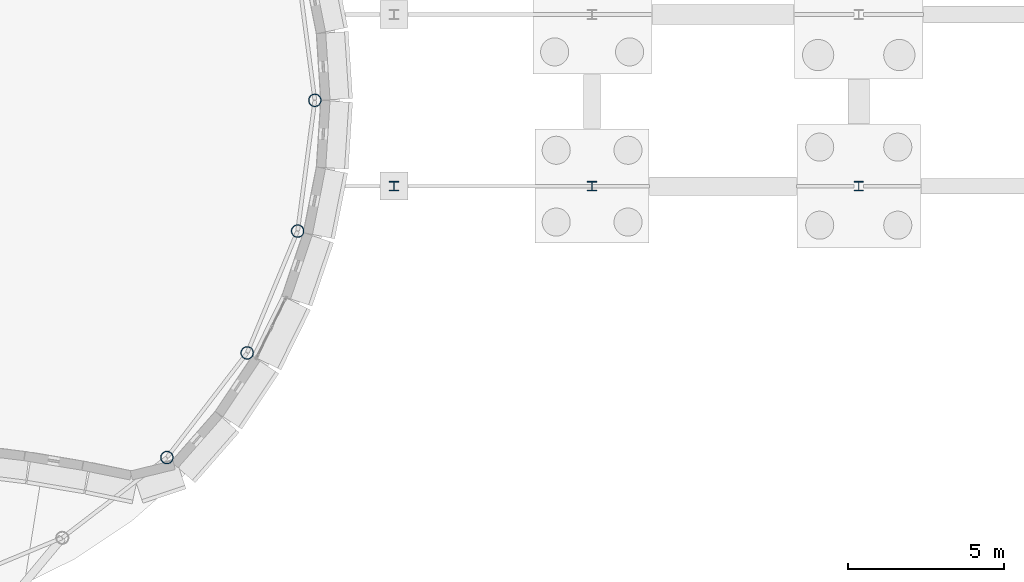
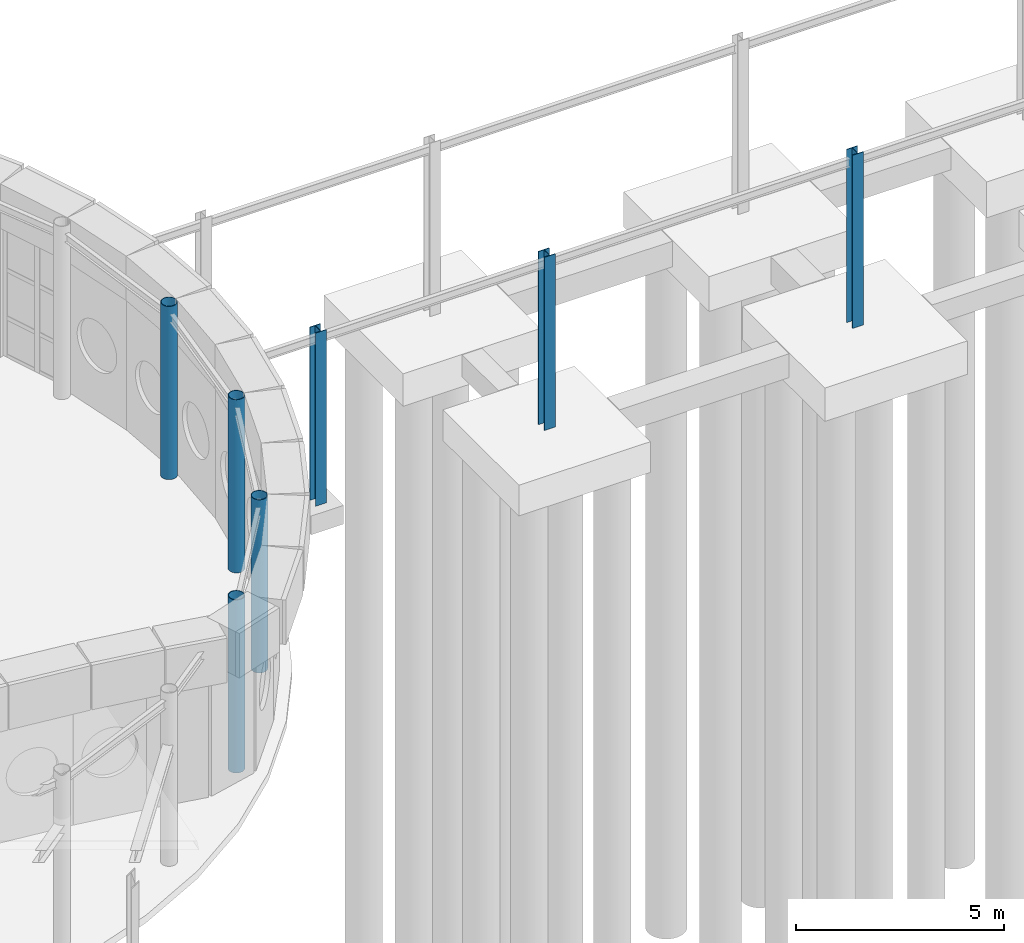
# One storey, part 10 of 109: 7 columns.
"""IFC4 building model written with IfcOpenShell, lengths in metres."""

from ifc_helpers import new_model, si_unit, direction, frame, origin, origin_2d, place, context, subcontext, project, spatial, hollow_circle, i_section, extrude, material, material_profile, profile_set, type_object, element, save


model = new_model("IFC4")

# Units and contexts
model_context = context("Model", 3, precision=1e-05, world=origin(), true_north=direction((0.0, 1.0)))
body_context = subcontext(model_context, "Body", "Model", "MODEL_VIEW")
ifc_project = project(units=[si_unit("LENGTHUNIT", "METRE"), si_unit("AREAUNIT", "SQUARE_METRE"), si_unit("VOLUMEUNIT", "CUBIC_METRE"), si_unit("PLANEANGLEUNIT", "RADIAN"), si_unit("MASSUNIT", "GRAM", prefix="KILO")], contexts=[model_context])

# Site, building, storey
site_placement = place(None, origin())
site = spatial("IfcSite", under=ifc_project, at=site_placement, CompositionType="ELEMENT")
building_placement = place(site_placement, origin())
building = spatial("IfcBuilding", under=site, at=building_placement, Name="Montecoro Central Library", CompositionType="ELEMENT")
storey_placement = place(building_placement, origin())
storey = spatial("IfcBuildingStorey", under=building, at=storey_placement, Name="L00", CompositionType="ELEMENT", Elevation=0.0)

# Columns
ifc_material_1 = material(Name="Steel S355J2", Category="steel")
ifc_material_profile_1 = material_profile(ifc_material_1, hollow_circle(Radius=0.203125, WallThickness=0.01611328125, at=origin_2d()), Name="CHS 406.4x16.0")
ifc_profile_set_1 = profile_set([ifc_material_profile_1], Name="Steel S355J2")
column_type_1 = type_object("IfcColumnType", Name="COL-CHS406", PredefinedType="COLUMN", material=ifc_profile_set_1)
for number, where, z_axis, x_axis, name in (
    (1, (107.780029296875, 35.39990234375, 0.0), (0.0, 0.0, 1.0), (1.0, 0.0, 0.0), "V1-L00-DCOL-01"),
    (2, (103.041015625, 23.958984375, 0.0), (0.0, 0.0, 1.0), (1.0, 0.0, 0.0), "V1-L00-DCOL-22"),
    (3, (105.612060546875, 27.31005859375, 0.0), (0.0, 0.0, 1.0), (1.0, 0.0, 0.0), "V1-L00-DCOL-23"),
    (4, (107.22900390625, 31.2119140625, 0.0), (0.0, 0.0, 1.0), (1.0, 0.0, 0.0), "V1-L00-DCOL-24"),
):
    element("IfcColumn", number, at=place(storey_placement, frame(where, z_axis=z_axis, x_axis=x_axis)), inside=storey, type_object=column_type_1, Name=name, PredefinedType="COLUMN", context=body_context, shape_type="SweptSolid", body=[
        extrude(hollow_circle(Radius=0.203125, WallThickness=0.01611328125, at=origin_2d()), origin(), (0.0, 0.0, 1.0), 5.074951171875),
    ])
ifc_material_2 = material(Name="Steel S355", Category="steel")
ifc_material_profile_2 = material_profile(ifc_material_2, i_section(OverallWidth=0.300048828125, OverallDepth=0.300048828125, WebThickness=0.010986328125, FlangeThickness=0.01904296875, at=origin_2d()), Name="HEB 300")
ifc_profile_set_2 = profile_set([ifc_material_profile_2], Name="Steel S355")
column_type_2 = type_object("IfcColumnType", Name="COL-HEB300", PredefinedType="COLUMN", material=ifc_profile_set_2)
for number, where, z_axis, x_axis, name in (
    (5, (110.320068359375, 32.64990234375, 0.0), (0.0, 0.0, 1.0), (1.0, 0.0, 0.0), "BR-SE-L00-COL-1103-326"),
    (6, (116.659912109375, 32.64990234375, 0.0), (0.0, 0.0, 1.0), (1.0, 0.0, 0.0), "BR-SE-L00-COL-1166-326"),
    (7, (125.199951171875, 32.64990234375, 0.0), (0.0, 0.0, 1.0), (1.0, 0.0, 0.0), "BR-SE-L00-COL-1252-326"),
):
    element("IfcColumn", number, at=place(storey_placement, frame(where, z_axis=z_axis, x_axis=x_axis)), inside=storey, type_object=column_type_2, Name=name, PredefinedType="COLUMN", context=body_context, shape_type="SweptSolid", body=[
        extrude(i_section(OverallWidth=0.300048828125, OverallDepth=0.300048828125, WebThickness=0.010986328125, FlangeThickness=0.01904296875, at=origin_2d()), origin(), (0.0, 0.0, 1.0), 5.074951171875),
    ])

save(model, "model.ifc")
